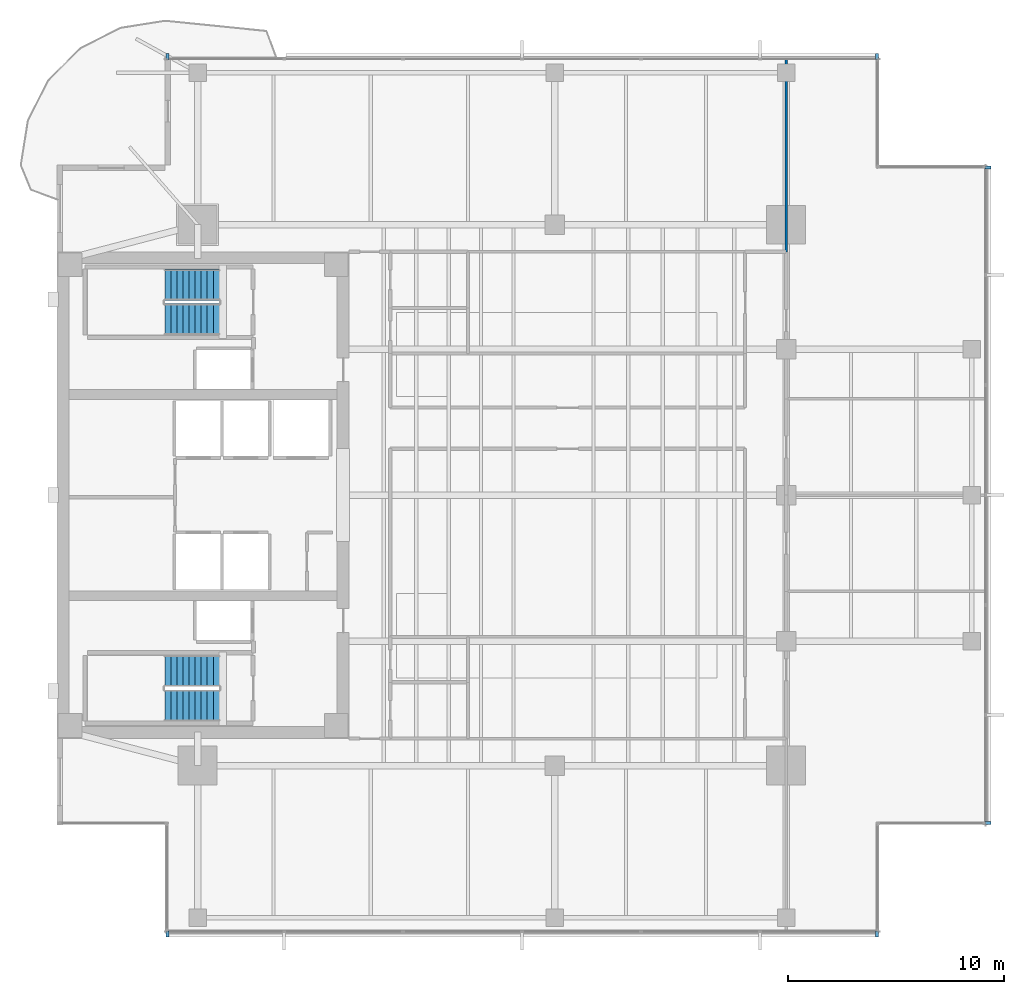
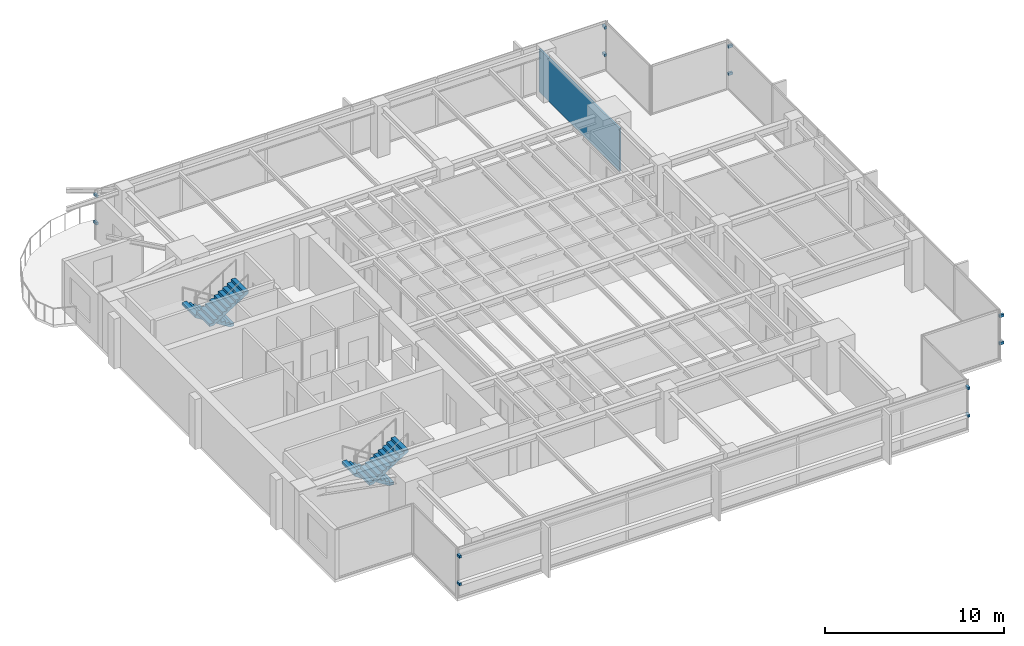
# One storey, part 10 of 14: 12 discrete accessories, 4 stair flights, 1 wall, 2 elements without a shape of their own.
"""IFC4 building model written with IfcOpenShell, lengths in metres."""

from ifc_helpers import new_model, si_unit, direction, frame, frame_2d, origin, origin_2d, place, context, subcontext, project, spatial, polyline, rectangle, outline, extrude, material, layer, layer_set, type_object, element, aggregate, save


model = new_model("IFC4")

# Units and contexts
model_context = context("Model", 3, precision=1e-05, world=origin(), true_north=direction((0.0, 1.0)))
body_context = subcontext(model_context, "Body", "Model", "MODEL_VIEW")
ifc_project = project(units=[si_unit("LENGTHUNIT", "METRE"), si_unit("AREAUNIT", "SQUARE_METRE"), si_unit("VOLUMEUNIT", "CUBIC_METRE"), si_unit("PLANEANGLEUNIT", "RADIAN"), si_unit("MASSUNIT", "GRAM", prefix="KILO")], contexts=[model_context])

# Site, building, storey
site_placement = place(None, origin())
site = spatial("IfcSite", under=ifc_project, at=site_placement, CompositionType="ELEMENT")
building_placement = place(site_placement, origin())
building = spatial("IfcBuilding", under=site, at=building_placement, Name="Kinhvarn Gate Tower", CompositionType="ELEMENT")
storey_placement = place(building_placement, frame((0.0, 0.0, 209.35009765625)))
storey = spatial("IfcBuildingStorey", under=building, at=storey_placement, Name="L55", CompositionType="ELEMENT", Elevation=209.35009765625)

# Wall
ifc_material_1 = material(Name="Gypsum acoustic partition board")
ifc_layer = layer(ifc_material_1, 0.1201171875)
ifc_layer_set = layer_set([ifc_layer], Name="Gypsum acoustic partition board")
wall_type = type_object("IfcWallType", Name="WL-PRT-120", PredefinedType="PARTITIONING", material=ifc_layer_set)
wall_placement = place(storey_placement, frame((38.199951171875, 36.5, 0.0), z_axis=(0.0, 0.0, 1.0), x_axis=(0.0, 1.0, 0.0)))
element("IfcWall", 1, at=wall_placement, inside=storey, type_object=wall_type, Name="Interior Partition PW-120 (L55)", PredefinedType="PARTITIONING", context=body_context, shape_type="SweptSolid", body=[
    extrude(rectangle(XDim=8.989990234375, YDim=0.1201171875, at=frame_2d((4.4951171875, 0.0))), origin(), (0.0, 0.0, 1.0), 2.919921875),
])

# Stair, stair flights
ifc_material_2 = material(Name="Concrete C40/50", Category="concrete")
stair_type = type_object("IfcStairType", Name="STR-DLG-178", PredefinedType="HALF_TURN_STAIR", material=ifc_material_2)
stair_1_placement = place(storey_placement, origin())
stair_1 = element("IfcStair", 2, at=stair_1_placement, inside=storey, type_object=stair_type, Name="L55 Core Smokeproof Exit Stair ST1", PredefinedType="HALF_TURN_STAIR")
stair_flight_type = type_object("IfcStairFlightType", Name="STF-DLG-178", PredefinedType="STRAIGHT", material=ifc_material_2)
stair_flight_1_placement = place(storey_placement, frame((12.0, 17.125, 0.0), z_axis=(0.0, 0.0, 1.0), x_axis=(-1.0, 0.0, 0.0)))
stair_flight_1 = element("IfcStairFlight", 3, at=stair_flight_1_placement, type_object=stair_flight_type, Name="ST1 flight 1", NumberOfRisers=10, NumberOfTreads=9, PredefinedType="STRAIGHT", RiserHeight=0.1775, TreadLength=0.28, context=body_context, shape_type="SweptSolid", body=[
    extrude(outline(polyline([(0.0, 0.0), (0.0, 0.177490234375), (0.280029296875, 0.177490234375), (0.280029296875, 0.35498046875), (0.56005859375, 0.35498046875), (0.56005859375, 0.532470703125), (0.840087890625, 0.532470703125), (0.840087890625, 0.7099609375), (1.1201171875, 0.7099609375), (1.1201171875, 0.887451171875), (1.39990234375, 0.887451171875), (1.39990234375, 1.06494140625), (1.679931640625, 1.06494140625), (1.679931640625, 1.242431640625), (1.9599609375, 1.242431640625), (1.9599609375, 1.419921875), (2.239990234375, 1.419921875), (2.239990234375, 1.597412109375), (2.52001953125, 1.597412109375), (2.52001953125, 1.77490234375), (2.52001953125, 1.419921875), (0.280029296875, 0.0), (0.0, 0.0)])), frame((0.0, 0.72509765625, 0.0), z_axis=(0.0, -1.0, 0.0), x_axis=(1.0, 0.0, 0.0)), (0.0, 0.0, 1.0), 1.449951171875),
])
stair_flight_2_placement = place(storey_placement, frame((9.47998046875, 15.52490234375, 1.77490234375), z_axis=(0.0, 0.0, 1.0), x_axis=(1.0, 0.0, 0.0)))
stair_flight_2 = element("IfcStairFlight", 4, at=stair_flight_2_placement, type_object=stair_flight_type, Name="ST1 flight 2", NumberOfRisers=10, NumberOfTreads=9, PredefinedType="STRAIGHT", RiserHeight=0.1775, TreadLength=0.28, context=body_context, shape_type="SweptSolid", body=[
    extrude(outline(polyline([(0.0, 0.0), (0.0, 0.177490234375), (0.280029296875, 0.177490234375), (0.280029296875, 0.35498046875), (0.56005859375, 0.35498046875), (0.56005859375, 0.532470703125), (0.840087890625, 0.532470703125), (0.840087890625, 0.7099609375), (1.1201171875, 0.7099609375), (1.1201171875, 0.887451171875), (1.39990234375, 0.887451171875), (1.39990234375, 1.06494140625), (1.679931640625, 1.06494140625), (1.679931640625, 1.242431640625), (1.9599609375, 1.242431640625), (1.9599609375, 1.419921875), (2.239990234375, 1.419921875), (2.239990234375, 1.597412109375), (2.52001953125, 1.597412109375), (2.52001953125, 1.77490234375), (2.52001953125, 1.419921875), (0.280029296875, 0.0), (0.0, 0.0)])), frame((0.0, 0.72509765625, 0.0), z_axis=(0.0, -1.0, 0.0), x_axis=(1.0, 0.0, 0.0)), (0.0, 0.0, 1.0), 1.449951171875),
])
aggregate(stair_1, [stair_flight_1, stair_flight_2])

stair_2_placement = place(storey_placement, origin())
stair_2 = element("IfcStair", 5, at=stair_2_placement, inside=storey, type_object=stair_type, Name="L55 Core Smokeproof Exit Stair ST2", PredefinedType="HALF_TURN_STAIR")
stair_flight_3_placement = place(storey_placement, frame((12.0, 34.97509765625, 0.0), z_axis=(0.0, 0.0, 1.0), x_axis=(-1.0, 0.0, 0.0)))
stair_flight_3 = element("IfcStairFlight", 6, at=stair_flight_3_placement, type_object=stair_flight_type, Name="ST2 flight 1", NumberOfRisers=10, NumberOfTreads=9, PredefinedType="STRAIGHT", RiserHeight=0.1775, TreadLength=0.28, context=body_context, shape_type="SweptSolid", body=[
    extrude(outline(polyline([(0.0, 0.0), (0.0, 0.177490234375), (0.280029296875, 0.177490234375), (0.280029296875, 0.35498046875), (0.56005859375, 0.35498046875), (0.56005859375, 0.532470703125), (0.840087890625, 0.532470703125), (0.840087890625, 0.7099609375), (1.1201171875, 0.7099609375), (1.1201171875, 0.887451171875), (1.39990234375, 0.887451171875), (1.39990234375, 1.06494140625), (1.679931640625, 1.06494140625), (1.679931640625, 1.242431640625), (1.9599609375, 1.242431640625), (1.9599609375, 1.419921875), (2.239990234375, 1.419921875), (2.239990234375, 1.597412109375), (2.52001953125, 1.597412109375), (2.52001953125, 1.77490234375), (2.52001953125, 1.419921875), (0.280029296875, 0.0), (0.0, 0.0)])), frame((0.0, 0.72509765625, 0.0), z_axis=(0.0, -1.0, 0.0), x_axis=(1.0, 0.0, 0.0)), (0.0, 0.0, 1.0), 1.449951171875),
])
stair_flight_4_placement = place(storey_placement, frame((9.47998046875, 33.375, 1.77490234375), z_axis=(0.0, 0.0, 1.0), x_axis=(1.0, 0.0, 0.0)))
stair_flight_4 = element("IfcStairFlight", 7, at=stair_flight_4_placement, type_object=stair_flight_type, Name="ST2 flight 2", NumberOfRisers=10, NumberOfTreads=9, PredefinedType="STRAIGHT", RiserHeight=0.1775, TreadLength=0.28, context=body_context, shape_type="SweptSolid", body=[
    extrude(outline(polyline([(0.0, 0.0), (0.0, 0.177490234375), (0.280029296875, 0.177490234375), (0.280029296875, 0.35498046875), (0.56005859375, 0.35498046875), (0.56005859375, 0.532470703125), (0.840087890625, 0.532470703125), (0.840087890625, 0.7099609375), (1.1201171875, 0.7099609375), (1.1201171875, 0.887451171875), (1.39990234375, 0.887451171875), (1.39990234375, 1.06494140625), (1.679931640625, 1.06494140625), (1.679931640625, 1.242431640625), (1.9599609375, 1.242431640625), (1.9599609375, 1.419921875), (2.239990234375, 1.419921875), (2.239990234375, 1.597412109375), (2.52001953125, 1.597412109375), (2.52001953125, 1.77490234375), (2.52001953125, 1.419921875), (0.280029296875, 0.0), (0.0, 0.0)])), frame((0.0, 0.72509765625, 0.0), z_axis=(0.0, -1.0, 0.0), x_axis=(1.0, 0.0, 0.0)), (0.0, 0.0, 1.0), 1.449951171875),
])
aggregate(stair_2, [stair_flight_3, stair_flight_4])

# Discrete accessories
ifc_material_3 = material(Name="Anodised aluminium AW-6063", Category="aluminium")
discrete_accessory_type = type_object("IfcDiscreteAccessoryType", Name="ACC-BRK-01", PredefinedType="BRACKET", material=ifc_material_3)
for number, where, z_axis, x_axis, name in (
    (8, (9.60009765625, 4.969970703125, 0.9599609375), (0.0, 0.0, 1.0), (1.0, 0.0, 0.0), "Baguette Support Bracket BK-01 (L55)"),
    (9, (9.60009765625, 4.969970703125, 2.830078125), (0.0, 0.0, 1.0), (1.0, 0.0, 0.0), "Baguette Support Bracket BK-01 (L55)"),
    (10, (42.39990234375, 4.969970703125, 0.9599609375), (0.0, 0.0, 1.0), (1.0, 0.0, 0.0), "Baguette Support Bracket BK-01 (L55)"),
    (11, (42.39990234375, 4.969970703125, 2.830078125), (0.0, 0.0, 1.0), (1.0, 0.0, 0.0), "Baguette Support Bracket BK-01 (L55)"),
    (12, (42.39990234375, 45.530029296875, 0.9599609375), (0.0, 0.0, 1.0), (-1.0, 0.0, 0.0), "Baguette Support Bracket BK-01 (L55)"),
    (13, (42.39990234375, 45.530029296875, 2.830078125), (0.0, 0.0, 1.0), (-1.0, 0.0, 0.0), "Baguette Support Bracket BK-01 (L55)"),
    (14, (9.60009765625, 45.530029296875, 0.9599609375), (0.0, 0.0, 1.0), (-1.0, 0.0, 0.0), "Baguette Support Bracket BK-01 (L55)"),
    (15, (9.60009765625, 45.530029296875, 2.830078125), (0.0, 0.0, 1.0), (-1.0, 0.0, 0.0), "Baguette Support Bracket BK-01 (L55)"),
    (16, (47.530029296875, 10.10009765625, 0.9599609375), (0.0, 0.0, 1.0), (0.0, 1.0, 0.0), "Baguette Support Bracket BK-01 (L55)"),
    (17, (47.530029296875, 10.10009765625, 2.830078125), (0.0, 0.0, 1.0), (0.0, 1.0, 0.0), "Baguette Support Bracket BK-01 (L55)"),
    (18, (47.530029296875, 40.39990234375, 0.9599609375), (0.0, 0.0, 1.0), (0.0, 1.0, 0.0), "Baguette Support Bracket BK-01 (L55)"),
    (19, (47.530029296875, 40.39990234375, 2.830078125), (0.0, 0.0, 1.0), (0.0, 1.0, 0.0), "Baguette Support Bracket BK-01 (L55)"),
):
    element("IfcDiscreteAccessory", number, at=place(storey_placement, frame(where, z_axis=z_axis, x_axis=x_axis)), inside=storey, type_object=discrete_accessory_type, Name=name, PredefinedType="BRACKET", context=body_context, shape_type="SweptSolid", body=[
        extrude(rectangle(XDim=0.139892578125, YDim=0.280029296875, at=origin_2d()), origin(), (0.0, 0.0, 1.0), 0.179931640625),
    ])

save(model, "model.ifc")
